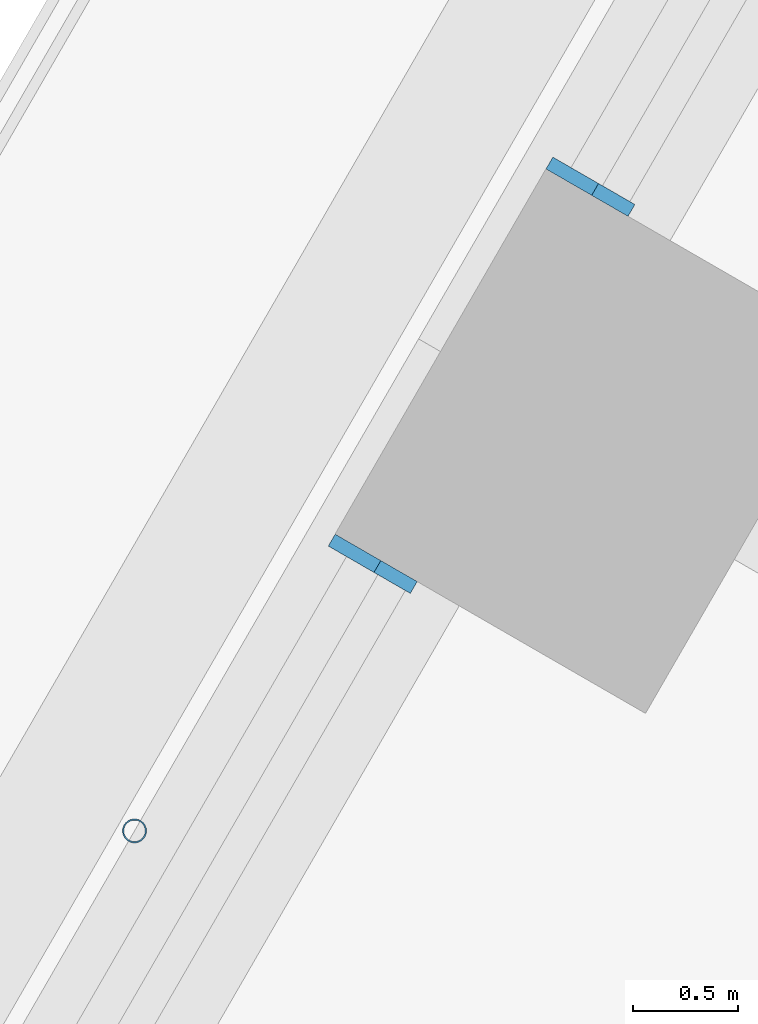
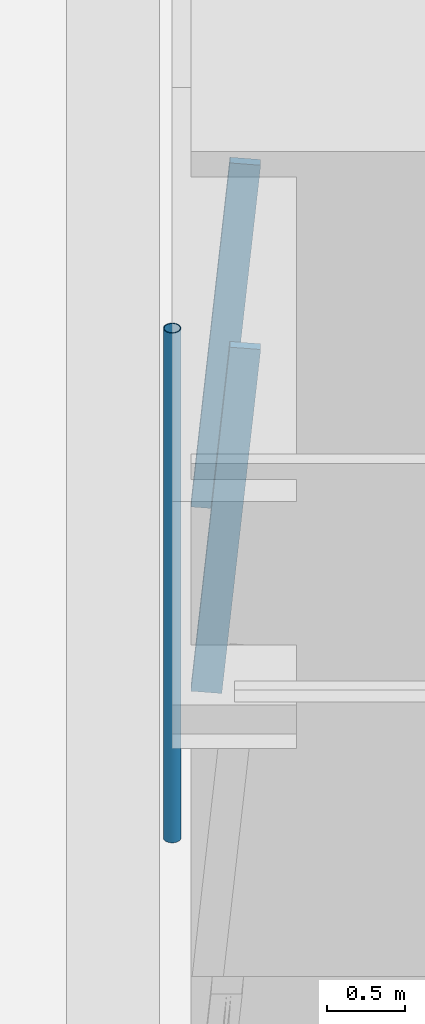
# One storey, part 7 of 23: 3 members, 2 elements without a shape of their own.
"""IFC4 building model written with IfcOpenShell, lengths in metres."""

from ifc_helpers import new_model, si_unit, direction, frame, origin, origin_2d, place, context, subcontext, project, spatial, rectangle, hollow_circle, extrude, material, material_profile, profile_set, type_object, element, aggregate, save


model = new_model("IFC4")

# Units and contexts
model_context = context("Model", 3, precision=1e-05, world=origin(), true_north=direction((0.0, 1.0)))
body_context = subcontext(model_context, "Body", "Model", "MODEL_VIEW")
ifc_project = project(units=[si_unit("LENGTHUNIT", "METRE"), si_unit("AREAUNIT", "SQUARE_METRE"), si_unit("VOLUMEUNIT", "CUBIC_METRE"), si_unit("PLANEANGLEUNIT", "RADIAN"), si_unit("MASSUNIT", "GRAM", prefix="KILO")], contexts=[model_context])

# Site, building, storey
site_placement = place(None, origin())
site = spatial("IfcSite", under=ifc_project, at=site_placement, CompositionType="ELEMENT")
building_placement = place(site_placement, origin())
building = spatial("IfcBuilding", under=site, at=building_placement, Name="Tarfa Lantern Tower", CompositionType="ELEMENT")
storey_placement = place(building_placement, frame((0.0, 0.0, 78.10009765625)))
storey = spatial("IfcBuildingStorey", under=building, at=storey_placement, Name="L17", CompositionType="ELEMENT", Elevation=78.10009765625)

# Curtain wall, member
ifc_material_1 = material(Name="Aluminium framed curtain wall", Category="aluminium")
curtain_wall_type = type_object("IfcCurtainWallType", Name="CW1 CANTED GLAZING LOW ZONE 2700", PredefinedType="USERDEFINED", material=ifc_material_1)
curtain_wall_1_placement = place(storey_placement, origin())
curtain_wall_1 = element("IfcCurtainWall", 1, at=curtain_wall_1_placement, inside=storey, type_object=curtain_wall_type, Name="CW1 NW L17", ObjectType="CURTAIN WALL", PredefinedType="USERDEFINED")
ifc_material_2 = material(Name="Aluminium mullion", Category="aluminium")
ifc_material_profile_1 = material_profile(ifc_material_2, rectangle(XDim=0.06494140625, YDim=0.199951171875, at=origin_2d()), Name="AL MULLION 65x200")
ifc_profile_set_1 = profile_set([ifc_material_profile_1], Name="Aluminium mullion")
member_type_1 = type_object("IfcMemberType", Name="CWM1 MULLION 65x200", PredefinedType="MULLION", material=ifc_profile_set_1)
member_1_placement = place(storey_placement, frame((-31.536376953125, 13.177490234375, 0.0), z_axis=(0.07986442134, -0.046099868913, 0.99573916077), x_axis=(0.499919672301, 0.866071776036, 0.0)))
member_1 = element("IfcMember", 2, at=member_1_placement, type_object=member_type_1, Name="CW1 mullion 2", PredefinedType="MULLION", context=body_context, shape_type="SweptSolid", body=[
    extrude(rectangle(XDim=0.06494140625, YDim=0.199951171875, at=origin_2d()), origin(), (0.0, 0.0, 1.0), 2.71142578125),
])
aggregate(curtain_wall_1, [member_1])

curtain_wall_2_placement = place(storey_placement, origin())
curtain_wall_2 = element("IfcCurtainWall", 3, at=curtain_wall_2_placement, inside=storey, type_object=curtain_wall_type, Name="CW1 NW L17", ObjectType="CURTAIN WALL", PredefinedType="USERDEFINED")
member_2_placement = place(storey_placement, frame((-32.56884765625, 11.38916015625, 0.0), z_axis=(0.07986442134, -0.046099868913, 0.99573916077), x_axis=(0.499919672301, 0.866071776036, 0.0)))
member_2 = element("IfcMember", 4, at=member_2_placement, type_object=member_type_1, Name="CW1 mullion 1", PredefinedType="MULLION", context=body_context, shape_type="SweptSolid", body=[
    extrude(rectangle(XDim=0.06494140625, YDim=0.199951171875, at=origin_2d()), origin(), (0.0, 0.0, 1.0), 2.71142578125),
])
aggregate(curtain_wall_2, [member_2])

# Member
ifc_material_3 = material(Name="Steel S355", Category="steel")
ifc_material_profile_2 = material_profile(ifc_material_3, hollow_circle(Radius=0.05712890625, WallThickness=0.00634765625, at=origin_2d()), Name="CHS114.3x6.3")
ifc_profile_set_2 = profile_set([ifc_material_profile_2], Name="Steel S355")
member_type_2 = type_object("IfcMemberType", Name="TR1 GREEN WALL TRELLIS CHS114.3x6.3", PredefinedType="USERDEFINED", material=ifc_profile_set_2)
member_3_placement = place(storey_placement, frame((-33.59033203125, 10.06005859375, 0.0), z_axis=(0.0, 0.0, 1.0), x_axis=(1.0, 0.0, 0.0)))
element("IfcMember", 5, at=member_3_placement, inside=storey, type_object=member_type_2, Name="Trellis post NW 2", ObjectType="TRELLIS", PredefinedType="USERDEFINED", context=body_context, shape_type="SweptSolid", body=[
    extrude(hollow_circle(Radius=0.05712890625, WallThickness=0.00634765625, at=origin_2d()), origin(), (0.0, 0.0, 1.0), 4.0),
])

save(model, "model.ifc")
